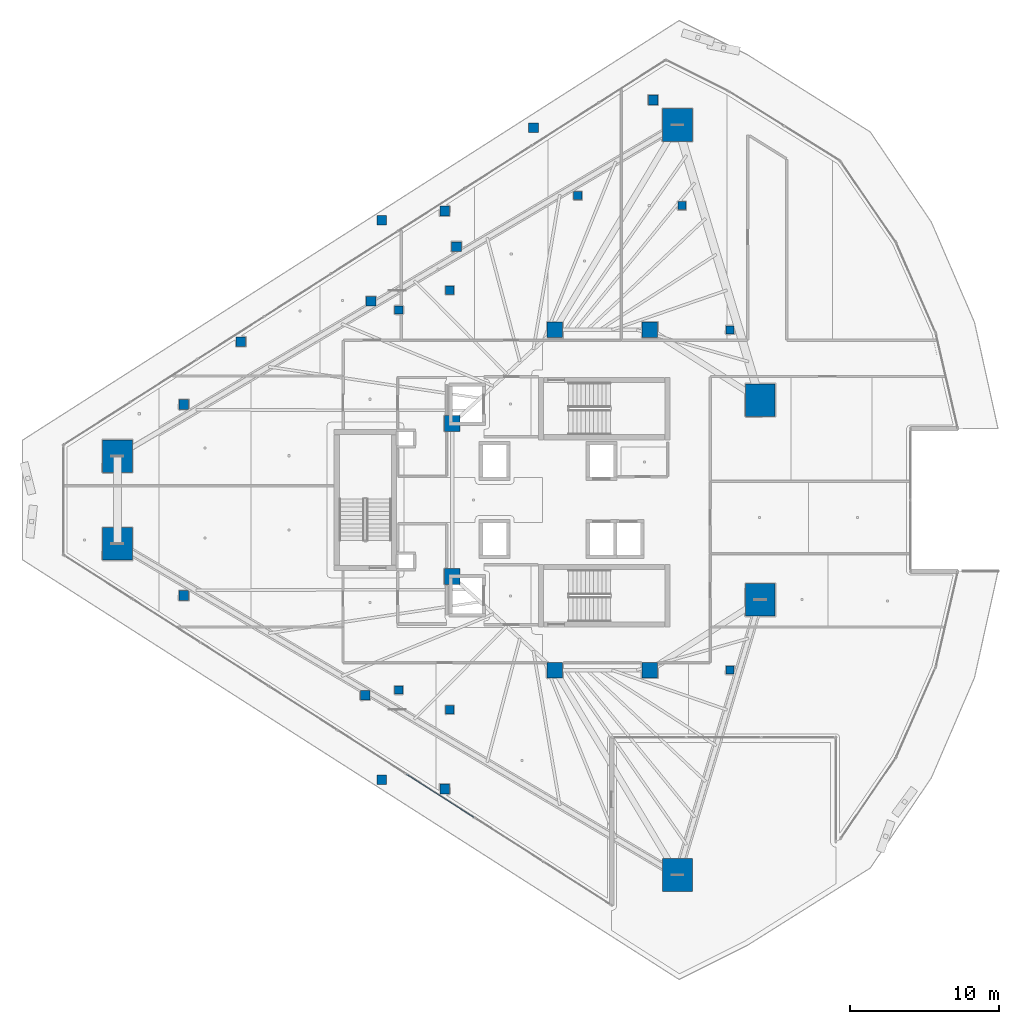
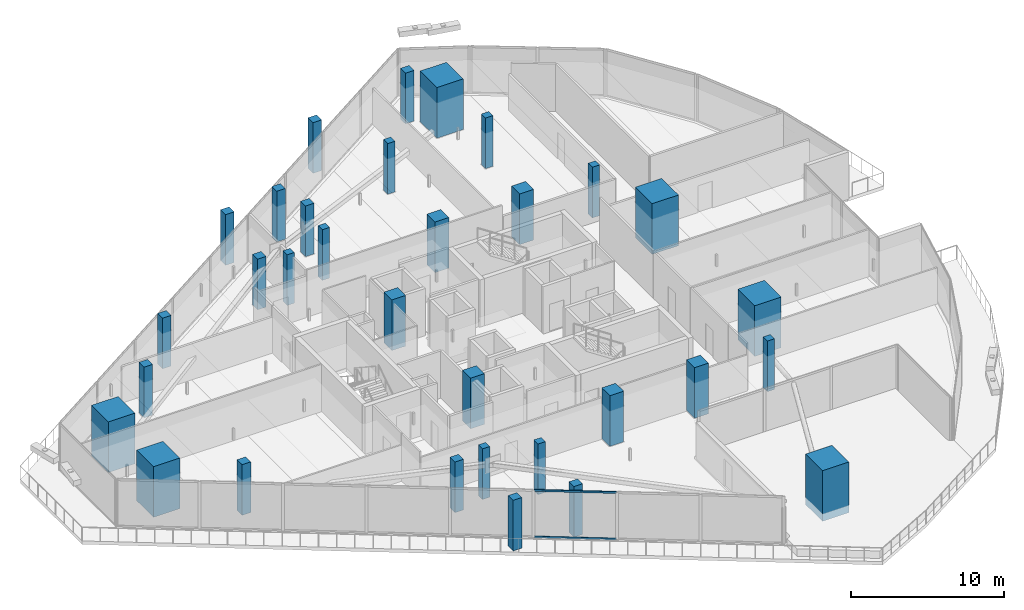
# One storey, part 1 of 43: 32 columns, 2 members, 1 element without a shape of its own.
"""IFC4 building model written with IfcOpenShell, lengths in metres."""

from ifc_helpers import new_model, si_unit, direction, frame, origin, origin_2d, place, context, subcontext, project, spatial, rectangle, hollow_rectangle, extrude, material, layer, layer_set, material_profile, profile_set, type_object, element, aggregate, save


model = new_model("IFC4")

# Units and contexts
model_context = context("Model", 3, precision=1e-05, world=origin(), true_north=direction((0.0, 1.0)))
body_context = subcontext(model_context, "Body", "Model", "MODEL_VIEW")
ifc_project = project(units=[si_unit("LENGTHUNIT", "METRE"), si_unit("AREAUNIT", "SQUARE_METRE"), si_unit("VOLUMEUNIT", "CUBIC_METRE"), si_unit("PLANEANGLEUNIT", "RADIAN"), si_unit("MASSUNIT", "GRAM", prefix="KILO")], contexts=[model_context])

# Site, building, storey
site_placement = place(None, origin())
site = spatial("IfcSite", under=ifc_project, at=site_placement, CompositionType="ELEMENT")
building_placement = place(site_placement, origin())
building = spatial("IfcBuilding", under=site, at=building_placement, Name="Qorvath Tower", CompositionType="ELEMENT")
storey_placement = place(building_placement, frame((0.0, 0.0, 150.300048828125)))
storey = spatial("IfcBuildingStorey", under=building, at=storey_placement, Name="L34", CompositionType="ELEMENT", Elevation=150.300048828125)

# Columns
ifc_material_1 = material(Name="Concrete C70/85", Category="concrete")
ifc_material_profile_1 = material_profile(ifc_material_1, rectangle(XDim=2.0, YDim=2.199951171875, at=origin_2d()), Name="MC 2200x2000")
ifc_profile_set_1 = profile_set([ifc_material_profile_1], Name="Concrete C70/85")
column_type_1 = type_object("IfcColumnType", Name="COL-MC2", PredefinedType="COLUMN", material=ifc_profile_set_1)
for number, where, z_axis, x_axis, name in (
    (1, (-53.04931640625, 2.95068359375, 0.0), (0.0, 0.0, 1.0), (1.0, 0.0, 0.0), "Composite Mega-Column MC1 L34"),
    (2, (-53.04931640625, -2.95068359375, 0.0), (0.0, 0.0, 1.0), (1.0, 0.0, 0.0), "Composite Mega-Column MC2 L34"),
    (3, (-15.34423828125, -25.24609375, 0.0), (0.0, 0.0, 1.0), (1.0, 0.0, 0.0), "Composite Mega-Column MC3 L34"),
    (4, (-9.770263671875, -6.721435546875, 0.0), (0.0, 0.0, 1.0), (1.0, 0.0, 0.0), "Composite Mega-Column MC4 L34"),
    (5, (-9.770263671875, 6.721435546875, 0.0), (0.0, 0.0, 1.0), (1.0, 0.0, 0.0), "Composite Mega-Column MC5 L34"),
    (6, (-15.34423828125, 25.24609375, 0.0), (0.0, 0.0, 1.0), (1.0, 0.0, 0.0), "Composite Mega-Column MC6 L34"),
):
    element("IfcColumn", number, at=place(storey_placement, frame(where, z_axis=z_axis, x_axis=x_axis)), inside=storey, type_object=column_type_1, Name=name, PredefinedType="COLUMN", context=body_context, shape_type="SweptSolid", body=[
        extrude(rectangle(XDim=2.0, YDim=2.199951171875, at=origin_2d()), origin(), (0.0, 0.0, 1.0), 4.050048828125),
    ])
ifc_material_2 = material(Name="Concrete C60/75", Category="concrete")
ifc_material_profile_2 = material_profile(ifc_material_2, rectangle(XDim=1.050048828125, YDim=1.050048828125, at=origin_2d()), Name="RC 1050x1050")
ifc_profile_set_2 = profile_set([ifc_material_profile_2], Name="Concrete C60/75")
column_type_2 = type_object("IfcColumnType", Name="COL-RC2", PredefinedType="COLUMN", material=ifc_profile_set_2)
for number, where, z_axis, x_axis, name in (
    (7, (-23.60009765625, 11.449951171875, 0.0), (0.0, 0.0, 1.0), (1.0, 0.0, 0.0), "Core Spine Column CC1 L34"),
    (8, (-17.199951171875, 11.449951171875, 0.0), (0.0, 0.0, 1.0), (1.0, 0.0, 0.0), "Core Spine Column CC2 L34"),
    (9, (-17.199951171875, -11.449951171875, 0.0), (0.0, 0.0, 1.0), (1.0, 0.0, 0.0), "Core Spine Column CC3 L34"),
    (10, (-23.60009765625, -11.449951171875, 0.0), (0.0, 0.0, 1.0), (1.0, 0.0, 0.0), "Core Spine Column CC4 L34"),
    (11, (-30.5, 5.14990234375, 0.0), (0.0, 0.0, 1.0), (1.0, 0.0, 0.0), "Core Spine Column CC5 L34"),
    (12, (-30.5, -5.14990234375, 0.0), (0.0, 0.0, 1.0), (1.0, 0.0, 0.0), "Core Spine Column CC6 L34"),
):
    element("IfcColumn", number, at=place(storey_placement, frame(where, z_axis=z_axis, x_axis=x_axis)), inside=storey, type_object=column_type_2, Name=name, PredefinedType="COLUMN", context=body_context, shape_type="SweptSolid", body=[
        extrude(rectangle(XDim=1.050048828125, YDim=1.050048828125, at=origin_2d()), origin(), (0.0, 0.0, 1.0), 4.050048828125),
    ])
ifc_material_3 = material(Name="Concrete C45/55", Category="concrete")
ifc_material_profile_3 = material_profile(ifc_material_3, rectangle(XDim=0.64990234375, YDim=0.64990234375, at=origin_2d()), Name="RC 650x650")
ifc_profile_set_3 = profile_set([ifc_material_profile_3], Name="Concrete C45/55")
column_type_3 = type_object("IfcColumnType", Name="COL-RC6", PredefinedType="COLUMN", material=ifc_profile_set_3)
for number, where, z_axis, x_axis, name in (
    (13, (-35.251708984375, 18.829345703125, 0.0), (0.0, 0.0, 1.0), (1.0, 0.0, 0.0), "Loggia Frame Pier Column LGC1 L34"),
    (14, (-35.251708984375, -18.829345703125, 0.0), (0.0, 0.0, 1.0), (1.0, 0.0, 0.0), "Loggia Frame Pier Column LGC2 L34"),
    (15, (-25.03759765625, 25.058837890625, 0.0), (0.0, 0.0, 1.0), (1.0, 0.0, 0.0), "Loggia Frame Pier Column LGC3 L34"),
    (16, (-31.01611328125, 19.46044921875, 0.0), (0.0, 0.0, 1.0), (1.0, 0.0, 0.0), "Loggia Frame Pier Column LGD1 L34"),
    (17, (-31.01611328125, -19.46044921875, 0.0), (0.0, 0.0, 1.0), (1.0, 0.0, 0.0), "Loggia Frame Pier Column LGD2 L34"),
    (18, (-44.736328125, 10.65234375, 0.0), (0.0, 0.0, 1.0), (1.0, 0.0, 0.0), "Loggia Frame Pier Column LGD3 L34"),
    (19, (-48.578369140625, 6.424560546875, 0.0), (0.0, 0.0, 1.0), (1.0, 0.0, 0.0), "Loggia Frame Pier Column LGE1 L34"),
    (20, (-48.578369140625, -6.424560546875, 0.0), (0.0, 0.0, 1.0), (1.0, 0.0, 0.0), "Loggia Frame Pier Column LGE2 L34"),
    (21, (-16.981201171875, 26.92919921875, 0.0), (0.0, 0.0, 1.0), (1.0, 0.0, 0.0), "Loggia Frame Pier Column LGE3 L34"),
    (22, (-35.980712890625, 13.380859375, 0.0), (0.0, 0.0, 1.0), (1.0, 0.0, 0.0), "Loggia Frame Pier Column LGF1 L34"),
    (23, (-36.36474609375, -13.135498046875, 0.0), (0.0, 0.0, 1.0), (1.0, 0.0, 0.0), "Loggia Frame Pier Column LGF2 L34"),
    (24, (-30.224853515625, 17.0595703125, 0.0), (0.0, 0.0, 1.0), (1.0, 0.0, 0.0), "Loggia Frame Pier Column LGF3 L34"),
):
    element("IfcColumn", number, at=place(storey_placement, frame(where, z_axis=z_axis, x_axis=x_axis)), inside=storey, type_object=column_type_3, Name=name, PredefinedType="COLUMN", context=body_context, shape_type="SweptSolid", body=[
        extrude(rectangle(XDim=0.64990234375, YDim=0.64990234375, at=origin_2d()), origin(), (0.0, 0.0, 1.0), 4.050048828125),
    ])
ifc_material_4 = material(Name="Concrete C45/55", Category="concrete")
ifc_material_profile_4 = material_profile(ifc_material_4, rectangle(XDim=0.550048828125, YDim=0.550048828125, at=origin_2d()), Name="RC 550x550")
ifc_profile_set_4 = profile_set([ifc_material_profile_4], Name="Concrete C45/55")
column_type_4 = type_object("IfcColumnType", Name="COL-RC7", PredefinedType="COLUMN", material=ifc_profile_set_4)
for number, where, z_axis, x_axis, name in (
    (25, (-34.104248046875, 12.79248046875, 0.0), (0.0, 0.0, 1.0), (1.0, 0.0, 0.0), "Loggia Frame Pier Column LGG1 L34"),
    (26, (-34.104248046875, -12.79248046875, 0.0), (0.0, 0.0, 1.0), (1.0, 0.0, 0.0), "Loggia Frame Pier Column LGG2 L34"),
    (27, (-22.05322265625, 20.494873046875, 0.0), (0.0, 0.0, 1.0), (1.0, 0.0, 0.0), "Loggia Frame Pier Column LGG3 L34"),
    (28, (-30.67724609375, 14.124267578125, 0.0), (0.0, 0.0, 1.0), (1.0, 0.0, 0.0), "Loggia Frame Pier Column LGH1 L34"),
    (29, (-30.67724609375, -14.124267578125, 0.0), (0.0, 0.0, 1.0), (1.0, 0.0, 0.0), "Loggia Frame Pier Column LGH2 L34"),
    (30, (-15.046142578125, 19.818115234375, 0.0), (0.0, 0.0, 1.0), (1.0, 0.0, 0.0), "Loggia Frame Pier Column LGH3 L34"),
    (31, (-11.800048828125, -11.449951171875, 0.0), (0.0, 0.0, 1.0), (1.0, 0.0, 0.0), "Central Slot Jamb Column SC1 L34"),
    (32, (-11.800048828125, 11.449951171875, 0.0), (0.0, 0.0, 1.0), (1.0, 0.0, 0.0), "Central Slot Jamb Column SC2 L34"),
):
    element("IfcColumn", number, at=place(storey_placement, frame(where, z_axis=z_axis, x_axis=x_axis)), inside=storey, type_object=column_type_4, Name=name, PredefinedType="COLUMN", context=body_context, shape_type="SweptSolid", body=[
        extrude(rectangle(XDim=0.550048828125, YDim=0.550048828125, at=origin_2d()), origin(), (0.0, 0.0, 1.0), 4.050048828125),
    ])

# Curtain wall, members
ifc_material_5 = material(Name="Anodised aluminium and triple low-E glass", Category="aluminium")
ifc_layer = layer(ifc_material_5, 0.179931640625)
ifc_layer_set = layer_set([ifc_layer], Name="CW-SYS-5")
curtain_wall_type = type_object("IfcCurtainWallType", Name="CW-SYS-5", PredefinedType="NOTDEFINED", material=ifc_layer_set)
curtain_wall_placement = place(storey_placement, origin())
curtain_wall = element("IfcCurtainWall", 33, at=curtain_wall_placement, inside=storey, type_object=curtain_wall_type, Name="Curtain Wall CW-5 CW-T-L34-18.1", PredefinedType="NOTDEFINED")
ifc_material_6 = material(Name="Anodised aluminium 6063-T6", Category="aluminium")
ifc_material_profile_5 = material_profile(ifc_material_6, hollow_rectangle(XDim=0.06494140625, YDim=0.159912109375, WallThickness=0.00341796875, InnerFilletRadius=0.00341796875, OuterFilletRadius=0.007080078125, at=origin_2d()), Name="CWT 160x65")
ifc_profile_set_5 = profile_set([ifc_material_profile_5], Name="Anodised aluminium 6063-T6")
member_type = type_object("IfcMemberType", Name="CWT-160", PredefinedType="USERDEFINED", material=ifc_profile_set_5)
member_1_placement = place(storey_placement, frame((-33.58984375, -18.46337890625, 0.032470703125), z_axis=(0.842615326436, -0.538515934449, 0.0), x_axis=(0.538515934449, 0.842615326436, 0.0)))
member_1 = element("IfcMember", 34, at=member_1_placement, type_object=member_type, Name="CW-5 transom 6.1", ObjectType="TRANSOM", PredefinedType="USERDEFINED", context=body_context, shape_type="SweptSolid", body=[
    extrude(hollow_rectangle(XDim=0.06494140625, YDim=0.159912109375, WallThickness=0.00341796875, InnerFilletRadius=0.00341796875, OuterFilletRadius=0.007080078125, at=origin_2d()), origin(), (0.0, 0.0, 1.0), 5.39892578125),
])
member_2_placement = place(storey_placement, frame((-33.58984375, -18.46337890625, 3.74755859375), z_axis=(0.842615326436, -0.538515934449, 0.0), x_axis=(0.538515934449, 0.842615326436, 0.0)))
member_2 = element("IfcMember", 35, at=member_2_placement, type_object=member_type, Name="CW-5 transom 6.2", ObjectType="TRANSOM", PredefinedType="USERDEFINED", context=body_context, shape_type="SweptSolid", body=[
    extrude(hollow_rectangle(XDim=0.06494140625, YDim=0.159912109375, WallThickness=0.00341796875, InnerFilletRadius=0.00341796875, OuterFilletRadius=0.007080078125, at=origin_2d()), origin(), (0.0, 0.0, 1.0), 5.39892578125),
])
aggregate(curtain_wall, [member_1, member_2])

save(model, "model.ifc")
